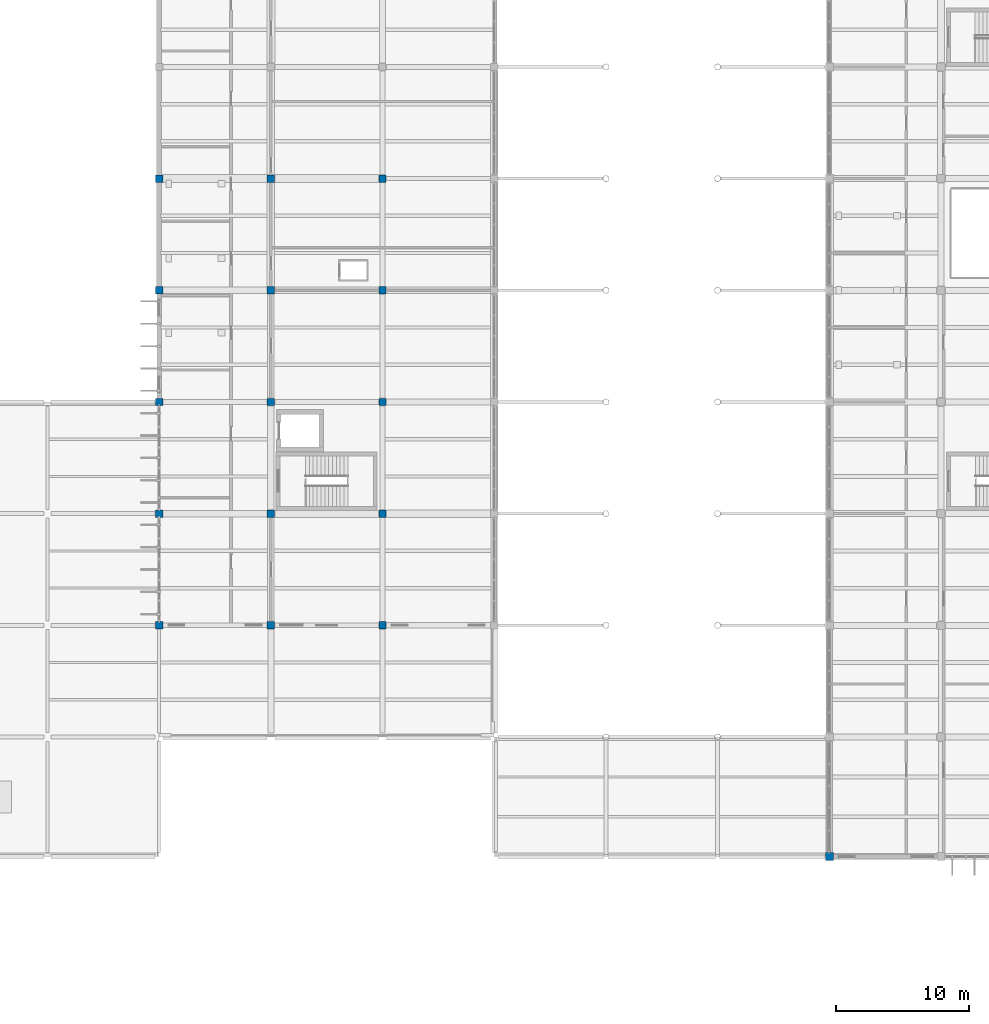
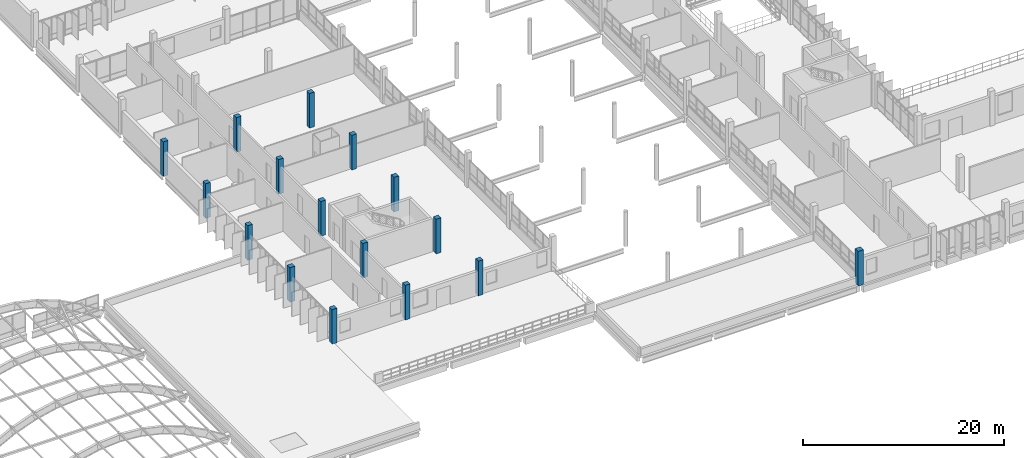
# One storey, part 1 of 130: 16 columns.
"""IFC4 building model written with IfcOpenShell, lengths in metres."""

from ifc_helpers import new_model, si_unit, direction, frame, origin, origin_2d, place, context, subcontext, project, spatial, rectangle, extrude, material, material_profile, profile_set, type_object, element, save


model = new_model("IFC4")

# Units and contexts
model_context = context("Model", 3, precision=1e-05, world=origin(), true_north=direction((0.0, 1.0)))
body_context = subcontext(model_context, "Body", "Model", "MODEL_VIEW")
ifc_project = project(units=[si_unit("LENGTHUNIT", "METRE"), si_unit("AREAUNIT", "SQUARE_METRE"), si_unit("VOLUMEUNIT", "CUBIC_METRE"), si_unit("PLANEANGLEUNIT", "RADIAN"), si_unit("MASSUNIT", "GRAM", prefix="KILO")], contexts=[model_context])

# Site, building, storey
site_placement = place(None, origin())
site = spatial("IfcSite", under=ifc_project, at=site_placement, CompositionType="ELEMENT")
building_placement = place(site_placement, origin())
building = spatial("IfcBuilding", under=site, at=building_placement, Name="Vireocrest Preparatory School", CompositionType="ELEMENT")
storey_placement = place(building_placement, frame((0.0, 0.0, 9.0)))
storey = spatial("IfcBuildingStorey", under=building, at=storey_placement, Name="L02", CompositionType="ELEMENT", Elevation=9.0)

# Columns
ifc_material = material(Name="Concrete 45 MPa", Category="concrete")
ifc_material_profile_1 = material_profile(ifc_material, rectangle(XDim=0.550048828125, YDim=0.550048828125, at=origin_2d()), Name="RC 550x550")
ifc_profile_set_1 = profile_set([ifc_material_profile_1], Name="Concrete 45 MPa")
column_type_1 = type_object("IfcColumnType", Name="RC Column 550x550", PredefinedType="COLUMN", material=ifc_profile_set_1)
for number, where, z_axis, x_axis, name in (
    (1, (42.0, 35.39990234375, 0.0), (0.0, 0.0, 1.0), (1.0, 0.0, 0.0), "Column C04 L02 6/E"),
    (2, (42.0, 43.800048828125, 0.0), (0.0, 0.0, 1.0), (1.0, 0.0, 0.0), "Column C04 L02 6/F"),
    (3, (42.0, 52.199951171875, 0.0), (0.0, 0.0, 1.0), (1.0, 0.0, 0.0), "Column C04 L02 6/G"),
    (4, (42.0, 60.60009765625, 0.0), (0.0, 0.0, 1.0), (1.0, 0.0, 0.0), "Column C04 L02 6/H"),
    (5, (42.0, 69.0, 0.0), (0.0, 0.0, 1.0), (1.0, 0.0, 0.0), "Column C04 L02 6/J"),
    (6, (50.39990234375, 35.39990234375, 0.0), (0.0, 0.0, 1.0), (1.0, 0.0, 0.0), "Column C04 L02 7/E"),
    (7, (50.39990234375, 43.800048828125, 0.0), (0.0, 0.0, 1.0), (1.0, 0.0, 0.0), "Column C04 L02 7/F"),
    (8, (50.39990234375, 52.199951171875, 0.0), (0.0, 0.0, 1.0), (1.0, 0.0, 0.0), "Column C04 L02 7/G"),
    (9, (50.39990234375, 60.60009765625, 0.0), (0.0, 0.0, 1.0), (1.0, 0.0, 0.0), "Column C04 L02 7/H"),
    (10, (50.39990234375, 69.0, 0.0), (0.0, 0.0, 1.0), (1.0, 0.0, 0.0), "Column C04 L02 7/J"),
    (11, (58.800048828125, 35.39990234375, 0.0), (0.0, 0.0, 1.0), (1.0, 0.0, 0.0), "Column C04 L02 8/E"),
    (12, (58.800048828125, 43.800048828125, 0.0), (0.0, 0.0, 1.0), (1.0, 0.0, 0.0), "Column C04 L02 8/F"),
    (13, (58.800048828125, 52.199951171875, 0.0), (0.0, 0.0, 1.0), (1.0, 0.0, 0.0), "Column C04 L02 8/G"),
    (14, (58.800048828125, 60.60009765625, 0.0), (0.0, 0.0, 1.0), (1.0, 0.0, 0.0), "Column C04 L02 8/H"),
    (15, (58.800048828125, 69.0, 0.0), (0.0, 0.0, 1.0), (1.0, 0.0, 0.0), "Column C04 L02 8/J"),
):
    element("IfcColumn", number, at=place(storey_placement, frame(where, z_axis=z_axis, x_axis=x_axis)), inside=storey, type_object=column_type_1, Name=name, PredefinedType="COLUMN", context=body_context, shape_type="SweptSolid", body=[
        extrude(rectangle(XDim=0.550048828125, YDim=0.550048828125, at=origin_2d()), origin(), (0.0, 0.0, 1.0), 4.199951171875),
    ])
ifc_material_profile_2 = material_profile(ifc_material, rectangle(XDim=0.60009765625, YDim=0.60009765625, at=origin_2d()), Name="RC 600x600")
ifc_profile_set_2 = profile_set([ifc_material_profile_2], Name="Concrete 45 MPa")
column_type_2 = type_object("IfcColumnType", Name="RC Column 600x600", PredefinedType="COLUMN", material=ifc_profile_set_2)
column_placement = place(storey_placement, frame((92.39990234375, 18.0, 0.0), z_axis=(0.0, 0.0, 1.0), x_axis=(1.0, 0.0, 0.0)))
element("IfcColumn", 16, at=column_placement, inside=storey, type_object=column_type_2, Name="Column C05 L02 12/C", PredefinedType="COLUMN", context=body_context, shape_type="SweptSolid", body=[
    extrude(rectangle(XDim=0.60009765625, YDim=0.60009765625, at=origin_2d()), origin(), (0.0, 0.0, 1.0), 4.199951171875),
])

save(model, "model.ifc")
